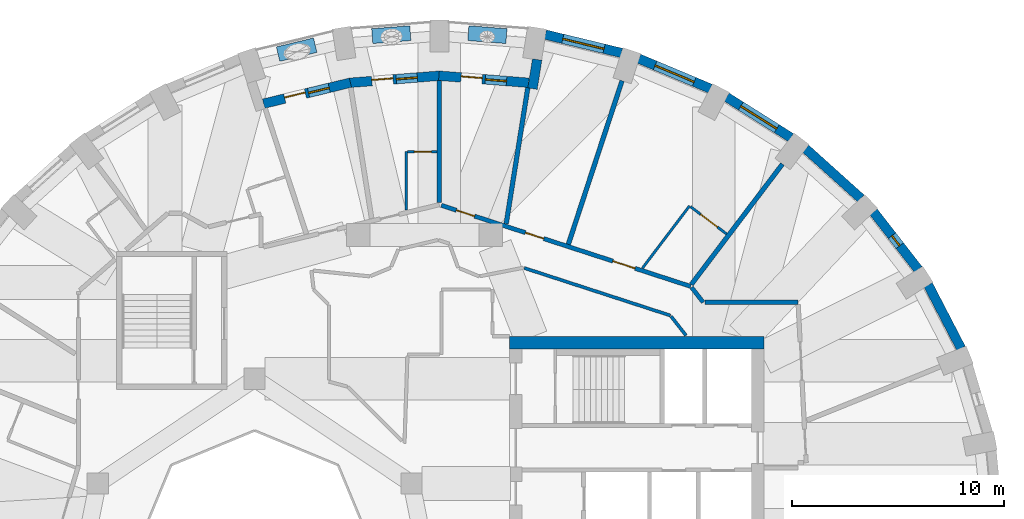
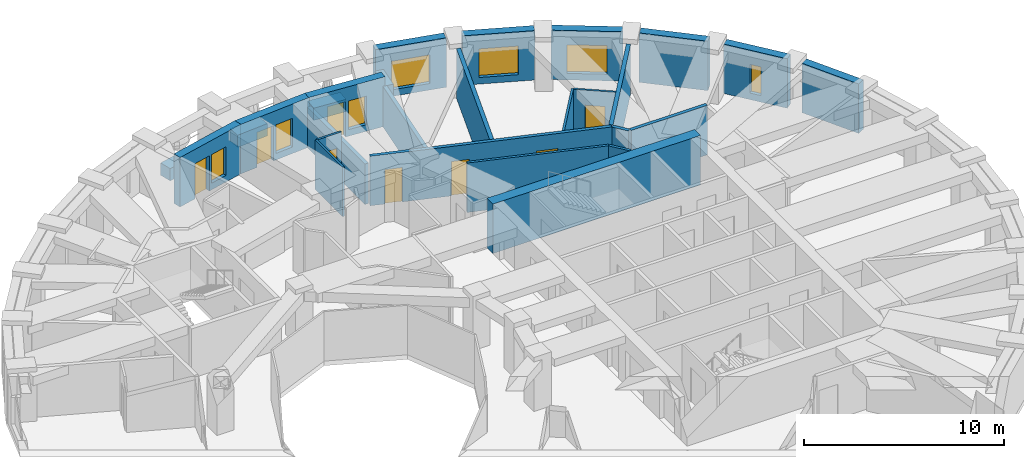
# One storey, part 8 of 12: 27 walls, 8 doors, 7 windows, 15 openings.
"""IFC4 building model written with IfcOpenShell, lengths in metres."""

import ifcopenshell
import ifcopenshell.guid

model = None  # the IFC model being written
_history = None  # IfcOwnerHistory: only IFC2X3 demands one
_inside = {}  # id of a spatial element -> (the spatial element, [elements in it])
_under = {}  # id of a project, library or spatial element -> (it, [spatial elements below it])
_declared = {}  # id of a project -> (the project, [libraries it declares])
_typed = {}  # id of a type object -> (the type object, [elements of that type])
_made_of = {}  # id of a material, layer set ... -> (it, [elements and type objects made of it])


def new_model(schema):
    """Start an empty IFC model of exactly this schema.

    Asked for "IFC4X3", IfcOpenShell would pick the latest addendum, in which some entities
    have other attributes; the version numbers below select the first issue.
    IFC2X3 requires an IfcOwnerHistory on every rooted entity: one is made here for all.
    """
    global model, _history
    if schema == "IFC4X3":
        model = ifcopenshell.file(schema_version=(4, 3, 0, 0))
    else:
        model = ifcopenshell.file(schema=schema)
    _inside.clear()
    _under.clear()
    _declared.clear()
    _typed.clear()
    _made_of.clear()
    _history = None
    if model.schema == "IFC2X3":
        org = make("IfcOrganization", Name="unknown")
        user = make(
            "IfcPersonAndOrganization",
            ThePerson=make("IfcPerson", FamilyName="unknown"),
            TheOrganization=org,
        )
        app = make(
            "IfcApplication",
            ApplicationDeveloper=org,
            Version="unknown",
            ApplicationFullName="unknown",
            ApplicationIdentifier="unknown",
        )
        _history = make(
            "IfcOwnerHistory",
            OwningUser=user,
            OwningApplication=app,
            ChangeAction="ADDED",
            CreationDate=0,
        )
    return model


def make(cls, **values):
    """One entity of the class cls with the attributes given. An attribute that is None is left unset."""
    return model.create_entity(
        cls, **{name: value for name, value in values.items() if value is not None}
    )


def rooted(cls, **values):
    """An entity with a GlobalId (a new one), such as an element, a storey or a relation."""
    return make(cls, GlobalId=ifcopenshell.guid.new(), OwnerHistory=_history, **values)


def si_unit(unit_type, name, prefix=None):
    """IfcSIUnit, for example si_unit("LENGTHUNIT", "METRE", prefix="MILLI")."""
    return make("IfcSIUnit", UnitType=unit_type, Prefix=prefix, Name=name)


def assignment(units):
    """IfcUnitAssignment: the units of a project."""
    return None if units is None else make("IfcUnitAssignment", Units=units)


def point(xyz):
    """IfcCartesianPoint."""
    return None if xyz is None else make("IfcCartesianPoint", Coordinates=xyz)


def direction(xyz):
    """IfcDirection."""
    return None if xyz is None else make("IfcDirection", DirectionRatios=xyz)


def frame(location, z_axis=None, x_axis=None):
    """IfcAxis2Placement3D, a coordinate frame: its origin and axes. An axis left out is left unset."""
    return make(
        "IfcAxis2Placement3D",
        Location=point(location),
        Axis=direction(z_axis),
        RefDirection=direction(x_axis),
    )


def frame_2d(location, x_axis=None):
    """IfcAxis2Placement2D, a coordinate frame in the plane: its origin and x axis."""
    return make(
        "IfcAxis2Placement2D", Location=point(location), RefDirection=direction(x_axis)
    )


def origin():
    """The frame at (0, 0, 0) with its axes left unset."""
    return frame((0.0, 0.0, 0.0))


def place(relative_to, where):
    """IfcLocalPlacement: puts the frame where relative to a parent placement (None: the world)."""
    return make(
        "IfcLocalPlacement", PlacementRelTo=relative_to, RelativePlacement=where
    )


def context(
    kind, dimensions, precision=None, world=None, true_north=None, identifier=None
):
    """IfcGeometricRepresentationContext, for example the 3D "Model" context."""
    return make(
        "IfcGeometricRepresentationContext",
        ContextIdentifier=identifier,
        ContextType=kind,
        CoordinateSpaceDimension=dimensions,
        Precision=precision,
        WorldCoordinateSystem=world,
        TrueNorth=true_north,
    )


def subcontext(parent, identifier, kind, view, scale=None):
    """IfcGeometricRepresentationSubContext, for example "Body" below "Model"."""
    return make(
        "IfcGeometricRepresentationSubContext",
        ContextIdentifier=identifier,
        ContextType=kind,
        ParentContext=parent,
        TargetScale=scale,
        TargetView=view,
    )


def project(units=None, contexts=None):
    """IfcProject with its units and contexts."""
    return rooted(
        "IfcProject",
        Name="project",
        RepresentationContexts=contexts,
        UnitsInContext=assignment(units),
    )


def spatial(cls, under=None, at=None, **own):
    """A site, building, storey or space (cls), placed at a placement, below another one or the project."""
    s = rooted(cls, ObjectPlacement=at, **own)
    if under is not None:
        _under.setdefault(under.id(), (under, []))[1].append(s)
    return s


def profile(cls, at=None, kind="AREA", **sizes):
    """A parametric profile (cls). Its sizes go by their IFC names, for example OverallWidth=200.0."""
    return make(cls, ProfileType=kind, Position=at, **sizes)


def rectangle(**sizes):
    """IfcRectangleProfileDef."""
    return profile("IfcRectangleProfileDef", **sizes)


def extrude(swept, where, along, depth):
    """IfcExtrudedAreaSolid: the profile swept, set in the frame where, extruded along a direction by depth."""
    return make(
        "IfcExtrudedAreaSolid",
        SweptArea=swept,
        Position=where,
        ExtrudedDirection=direction(along),
        Depth=depth,
    )


def shape(context_of_items, identifier, shape_type, items):
    """IfcShapeRepresentation: the items that make up one representation, for example the "Body"."""
    return make(
        "IfcShapeRepresentation",
        ContextOfItems=context_of_items,
        RepresentationIdentifier=identifier,
        RepresentationType=shape_type,
        Items=items,
    )


def material(Name=None, Category=None):
    """IfcMaterial."""
    return make("IfcMaterial", Name=Name, Category=Category)


def layer(
    of_material, thickness, ventilated=None, Name=None, Category=None, Priority=None
):
    """IfcMaterialLayer: one layer of a wall or slab, of a material (None: an air gap)."""
    return make(
        "IfcMaterialLayer",
        Material=of_material,
        LayerThickness=thickness,
        IsVentilated=ventilated,
        Name=Name,
        Category=Category,
        Priority=Priority,
    )


def layer_set(layers, Name=None):
    """IfcMaterialLayerSet."""
    return make("IfcMaterialLayerSet", MaterialLayers=layers, LayerSetName=Name)


def constituent(of_material, Name=None, Category=None, fraction=None):
    """IfcMaterialConstituent: one of the materials an element consists of."""
    return make(
        "IfcMaterialConstituent",
        Name=Name,
        Material=of_material,
        Fraction=fraction,
        Category=Category,
    )


def constituent_set(constituents=None, Name=None):
    """IfcMaterialConstituentSet."""
    return make(
        "IfcMaterialConstituentSet", Name=Name, MaterialConstituents=constituents
    )


def made_of(thing, what):
    """Note that an element or type object is made of a material, layer set ...; save() writes the relation."""
    if what is not None:
        _made_of.setdefault(what.id(), (what, []))[1].append(thing)
    return thing


def type_object(cls, material=None, **own):
    """A type object (cls), such as IfcWallType, which elements share."""
    return made_of(rooted(cls, **own), material)


def element(
    cls,
    number,
    at=None,
    inside=None,
    cuts=None,
    type_object=None,
    material=None,
    context=None,
    identifier="Body",
    shape_type=None,
    held_by="IfcProductDefinitionShape",
    body=None,
    shapes=None,
    **own,
):
    """One element of the class cls, such as IfcWall. Its Tag is "e" and its number.

    at: its placement. inside: the storey or other place that contains it. cuts: it is an
    opening in that element (IfcRelVoidsElement). A single representation is given by context,
    identifier, shape_type and body (its items); several are given by shapes. held_by: the class
    of the entity that holds the representations. save() writes the other relations.
    """
    e = rooted(cls, Tag="e%d" % number, ObjectPlacement=at, **own)
    if body is not None:
        shapes = [shape(context, identifier, shape_type, body)]
    if shapes is not None:
        e.Representation = make(held_by, Representations=shapes)
    if inside is not None:
        _inside.setdefault(inside.id(), (inside, []))[1].append(e)
    if cuts is not None:
        rooted(
            "IfcRelVoidsElement", RelatingBuildingElement=cuts, RelatedOpeningElement=e
        )
    if type_object is not None:
        _typed.setdefault(type_object.id(), (type_object, []))[1].append(e)
    return made_of(e, material)


def fill(opening, filler):
    """IfcRelFillsElement: the door or window that sits in an opening."""
    return rooted(
        "IfcRelFillsElement",
        RelatingOpeningElement=opening,
        RelatedBuildingElement=filler,
    )


def aggregate(whole, parts):
    """IfcRelAggregates: a whole, such as a stair, and the parts it consists of."""
    return rooted("IfcRelAggregates", RelatingObject=whole, RelatedObjects=parts)


def save(model, path):
    """Write the relations noted so far, then the file.

    IfcRelAggregates (storeys below a building ...), IfcRelContainedInSpatialStructure (elements
    in a storey), IfcRelDefinesByType, IfcRelAssociatesMaterial and IfcRelDeclares: one each for
    every whole, place, type object, material and project.
    """
    for whole, parts in _under.values():
        aggregate(whole, parts)
    for where, things in _inside.values():
        rooted(
            "IfcRelContainedInSpatialStructure",
            RelatedElements=things,
            RelatingStructure=where,
        )
    for kind, things in _typed.values():
        rooted("IfcRelDefinesByType", RelatedObjects=things, RelatingType=kind)
    for what, things in _made_of.values():
        rooted("IfcRelAssociatesMaterial", RelatedObjects=things, RelatingMaterial=what)
    for by, libraries in _declared.values():
        rooted("IfcRelDeclares", RelatingContext=by, RelatedDefinitions=libraries)
    model.write(path)


model = new_model("IFC4")

# Units and contexts
model_context = context("Model", 3, precision=1e-05, world=origin(), true_north=direction((0.0, 1.0)))
body_context = subcontext(model_context, "Body", "Model", "MODEL_VIEW")
ifc_project = project(units=[si_unit("LENGTHUNIT", "METRE"), si_unit("AREAUNIT", "SQUARE_METRE"), si_unit("VOLUMEUNIT", "CUBIC_METRE"), si_unit("PLANEANGLEUNIT", "RADIAN"), si_unit("MASSUNIT", "GRAM", prefix="KILO")], contexts=[model_context])

# Site, building, storey
site_placement = place(None, origin())
site = spatial("IfcSite", under=ifc_project, at=site_placement, CompositionType="ELEMENT")
building_placement = place(site_placement, origin())
building = spatial("IfcBuilding", under=site, at=building_placement, Name="Taillehof Tower", CompositionType="ELEMENT")
storey_placement = place(building_placement, frame((0.0, 0.0, 222.199951171875)))
storey = spatial("IfcBuildingStorey", under=building, at=storey_placement, Name="L63", CompositionType="ELEMENT", Elevation=222.199951171875)

# Wall
ifc_material_1 = material(Name="Brick masonry", Category="masonry")
ifc_layer_1 = layer(ifc_material_1, 0.449951171875)
ifc_layer_set_1 = layer_set([ifc_layer_1], Name="Brick infill wall 450")
wall_type_1 = type_object("IfcWallType", Name="Brick infill wall 450", PredefinedType="SOLIDWALL", material=ifc_layer_set_1)
wall_1_placement = place(storey_placement, frame((25.278076171875, 9.431640625, 0.0), z_axis=(0.0, 0.0, 1.0), x_axis=(-0.460175500475, 0.887827972505, 0.0)))
element("IfcWall", 1, at=wall_1_placement, inside=storey, type_object=wall_type_1, Name="Brick wall L63 bay 3", PredefinedType="SOLIDWALL", context=body_context, shape_type="SweptSolid", body=[
    extrude(rectangle(XDim=3.37060546875, YDim=0.449951171875, at=frame_2d((1.685302734375, 0.0))), origin(), (0.0, 0.0, 1.0), 3.02001953125),
])

# Wall, opening, window
wall_2_placement = place(storey_placement, frame((23.262939453125, 13.148193359375, 0.0), z_axis=(0.0, 0.0, 1.0), x_axis=(-0.614220816451, 0.789134201919, 0.0)))
wall_2 = element("IfcWall", 2, at=wall_2_placement, inside=storey, type_object=wall_type_1, Name="Brick wall L63 bay 4", PredefinedType="SOLIDWALL", context=body_context, shape_type="SweptSolid", body=[
    extrude(rectangle(XDim=3.437744140625, YDim=0.449951171875, at=frame_2d((1.71875, 0.0))), origin(), (0.0, 0.0, 1.0), 3.02001953125),
])
opening_1_placement = place(wall_2_placement, frame((1.4189453125, 0.0, 0.39990234375)))
opening_1 = element("IfcOpeningElement", 3, at=opening_1_placement, cuts=wall_2, Name="Opening W6", PredefinedType="OPENING", context=body_context, shape_type="SweptSolid", body=[
    extrude(rectangle(XDim=0.60009765625, YDim=1.75, at=frame_2d((0.300048828125, 0.875))), frame((0.0, 0.23486328125, 0.0), z_axis=(0.0, -1.0, 0.0), x_axis=(1.0, 0.0, 0.0)), (0.0, 0.0, 1.0), 0.469970703125),
])
ifc_material_2 = material(Name="Aluminium window frame with clear double glazing", Category="aluminium")
window_type_1 = type_object("IfcWindowType", Name="Slot window 600x1750", PartitioningType="SINGLE_PANEL", PredefinedType="WINDOW", material=ifc_material_2)
window_1_placement = place(opening_1_placement, origin())
window_1 = element("IfcWindow", 4, at=window_1_placement, inside=storey, type_object=window_type_1, Name="W6", OverallHeight=1.75, OverallWidth=0.60009765625, PartitioningType="SINGLE_PANEL", PredefinedType="WINDOW", context=body_context, shape_type="SweptSolid", body=[
    extrude(rectangle(XDim=0.60009765625, YDim=1.75, at=frame_2d((0.300048828125, 0.875))), frame((0.0, 0.034912109375, 0.0), z_axis=(0.0, -1.0, 0.0), x_axis=(1.0, 0.0, 0.0)), (0.0, 0.0, 1.0), 0.06005859375),
])
fill(opening_1, window_1)

# Wall
wall_3_placement = place(storey_placement, frame((20.56494140625, 16.490478515625, 0.0), z_axis=(0.0, 0.0, 1.0), x_axis=(-0.743442727602, 0.668799604348, 0.0)))
element("IfcWall", 5, at=wall_3_placement, inside=storey, type_object=wall_type_1, Name="Brick wall L63 bay 5", PredefinedType="SOLIDWALL", context=body_context, shape_type="SweptSolid", body=[
    extrude(rectangle(XDim=3.5126953125, YDim=0.449951171875, at=frame_2d((1.75634765625, 0.0))), origin(), (0.0, 0.0, 1.0), 3.02001953125),
])

# Wall, opening, window
wall_4_placement = place(storey_placement, frame((17.26708984375, 19.3583984375, 0.0), z_axis=(0.0, 0.0, 1.0), x_axis=(-0.846119146727, 0.532993798783, 0.0)))
wall_4 = element("IfcWall", 6, at=wall_4_placement, inside=storey, type_object=wall_type_1, Name="Brick wall L63 bay 6", PredefinedType="SOLIDWALL", context=body_context, shape_type="SweptSolid", body=[
    extrude(rectangle(XDim=3.586669921875, YDim=0.449951171875, at=frame_2d((1.79345703125, 0.0))), origin(), (0.0, 0.0, 1.0), 3.02001953125),
])
opening_2_placement = place(wall_4_placement, frame((0.79345703125, 0.0, 0.39990234375)))
opening_2 = element("IfcOpeningElement", 7, at=opening_2_placement, cuts=wall_4, Name="Opening W2", PredefinedType="OPENING", context=body_context, shape_type="SweptSolid", body=[
    extrude(rectangle(XDim=2.0, YDim=1.75, at=frame_2d((1.0, 0.875))), frame((0.0, 0.23486328125, 0.0), z_axis=(0.0, -1.0, 0.0), x_axis=(1.0, 0.0, 0.0)), (0.0, 0.0, 1.0), 0.469970703125),
])
ifc_material_3 = material(Name="Aluminium window frame with clear double glazing", Category="aluminium")
window_type_2 = type_object("IfcWindowType", Name="Deep-set window 2000x1750", PartitioningType="SINGLE_PANEL", PredefinedType="WINDOW", material=ifc_material_3)
window_2_placement = place(opening_2_placement, origin())
window_2 = element("IfcWindow", 8, at=window_2_placement, inside=storey, type_object=window_type_2, Name="W2", OverallHeight=1.75, OverallWidth=2.0, PartitioningType="SINGLE_PANEL", PredefinedType="WINDOW", context=body_context, shape_type="SweptSolid", body=[
    extrude(rectangle(XDim=2.0, YDim=1.75, at=frame_2d((1.0, 0.875))), frame((0.0, 0.034912109375, 0.0), z_axis=(0.0, -1.0, 0.0), x_axis=(1.0, 0.0, 0.0)), (0.0, 0.0, 1.0), 0.06005859375),
])
fill(opening_2, window_2)

wall_5_placement = place(storey_placement, frame((13.46923828125, 21.6669921875, 0.0), z_axis=(0.0, 0.0, 1.0), x_axis=(-0.922168222612, 0.386789050006, 0.0)))
wall_5 = element("IfcWall", 9, at=wall_5_placement, inside=storey, type_object=wall_type_1, Name="Brick wall L63 bay 7", PredefinedType="SOLIDWALL", context=body_context, shape_type="SweptSolid", body=[
    extrude(rectangle(XDim=3.65087890625, YDim=0.449951171875, at=frame_2d((1.825439453125, 0.0))), origin(), (0.0, 0.0, 1.0), 3.02001953125),
])
opening_3_placement = place(wall_5_placement, frame((0.825439453125, 0.0, 0.39990234375)))
opening_3 = element("IfcOpeningElement", 10, at=opening_3_placement, cuts=wall_5, Name="Opening W2", PredefinedType="OPENING", context=body_context, shape_type="SweptSolid", body=[
    extrude(rectangle(XDim=2.0, YDim=1.75, at=frame_2d((1.0, 0.875))), frame((0.0, 0.23486328125, 0.0), z_axis=(0.0, -1.0, 0.0), x_axis=(1.0, 0.0, 0.0)), (0.0, 0.0, 1.0), 0.469970703125),
])
window_3_placement = place(opening_3_placement, origin())
window_3 = element("IfcWindow", 11, at=window_3_placement, inside=storey, type_object=window_type_2, Name="W2", OverallHeight=1.75, OverallWidth=2.0, PartitioningType="SINGLE_PANEL", PredefinedType="WINDOW", context=body_context, shape_type="SweptSolid", body=[
    extrude(rectangle(XDim=2.0, YDim=1.75, at=frame_2d((1.0, 0.875))), frame((0.0, 0.034912109375, 0.0), z_axis=(0.0, -1.0, 0.0), x_axis=(1.0, 0.0, 0.0)), (0.0, 0.0, 1.0), 0.06005859375),
])
fill(opening_3, window_3)

wall_6_placement = place(storey_placement, frame((9.285400390625, 23.34716796875, 0.0), z_axis=(0.0, 0.0, 1.0), x_axis=(-0.972173533246, 0.234261864708, 0.0)))
wall_6 = element("IfcWall", 12, at=wall_6_placement, inside=storey, type_object=wall_type_1, Name="Brick wall L63 bay 8", PredefinedType="SOLIDWALL", context=body_context, shape_type="SweptSolid", body=[
    extrude(rectangle(XDim=3.697509765625, YDim=0.449951171875, at=frame_2d((1.8486328125, 0.0))), origin(), (0.0, 0.0, 1.0), 3.02001953125),
])
opening_4_placement = place(wall_6_placement, frame((0.848876953125, 0.0, 0.39990234375)))
opening_4 = element("IfcOpeningElement", 13, at=opening_4_placement, cuts=wall_6, Name="Opening W2", PredefinedType="OPENING", context=body_context, shape_type="SweptSolid", body=[
    extrude(rectangle(XDim=2.0, YDim=1.75, at=frame_2d((1.0, 0.875))), frame((0.0, 0.23486328125, 0.0), z_axis=(0.0, -1.0, 0.0), x_axis=(1.0, 0.0, 0.0)), (0.0, 0.0, 1.0), 0.469970703125),
])
window_4_placement = place(opening_4_placement, origin())
window_4 = element("IfcWindow", 14, at=window_4_placement, inside=storey, type_object=window_type_2, Name="W2", OverallHeight=1.75, OverallWidth=2.0, PartitioningType="SINGLE_PANEL", PredefinedType="WINDOW", context=body_context, shape_type="SweptSolid", body=[
    extrude(rectangle(XDim=2.0, YDim=1.75, at=frame_2d((1.0, 0.875))), frame((0.0, 0.034912109375, 0.0), z_axis=(0.0, -1.0, 0.0), x_axis=(1.0, 0.0, 0.0)), (0.0, 0.0, 1.0), 0.06005859375),
])
fill(opening_4, window_4)

# Wall
wall_7_placement = place(storey_placement, frame((5.308837890625, 23.03857421875, 0.0), z_axis=(0.0, 0.0, 1.0), x_axis=(-0.157189016474, -0.9875685359, 0.0)))
element("IfcWall", 15, at=wall_7_placement, inside=storey, type_object=wall_type_1, Name="Brick reveal L63 pocket 2", PredefinedType="SOLIDWALL", context=body_context, shape_type="SweptSolid", body=[
    extrude(rectangle(XDim=1.39013671875, YDim=0.449951171875, at=frame_2d((0.695068359375, 0.0))), origin(), (0.0, 0.0, 1.0), 2.469970703125),
])

# Wall, openings, door, window
wall_8_placement = place(storey_placement, frame((4.906494140625, 21.9423828125, 0.0), z_axis=(0.0, 0.0, 1.0), x_axis=(-0.996902429846, 0.078648238166, 0.0)))
wall_8 = element("IfcWall", 16, at=wall_8_placement, inside=storey, type_object=wall_type_1, Name="Brick wall L63 pocket bay 9", PredefinedType="SOLIDWALL", context=body_context, shape_type="SweptSolid", body=[
    extrude(rectangle(XDim=4.2373046875, YDim=0.449951171875, at=frame_2d((2.11865234375, 0.0))), origin(), (0.0, 0.0, 1.0), 3.02001953125),
])
opening_5_placement = place(wall_8_placement, frame((1.043701171875, 0.0, 0.39990234375)))
opening_5 = element("IfcOpeningElement", 17, at=opening_5_placement, cuts=wall_8, Name="Opening W5", PredefinedType="OPENING", context=body_context, shape_type="SweptSolid", body=[
    extrude(rectangle(XDim=1.0, YDim=1.75, at=frame_2d((0.5, 0.875))), frame((0.0, 0.23486328125, 0.0), z_axis=(0.0, -1.0, 0.0), x_axis=(1.0, 0.0, 0.0)), (0.0, 0.0, 1.0), 0.469970703125),
])
opening_6_placement = place(wall_8_placement, frame((2.193603515625, 0.0, 0.0)))
opening_6 = element("IfcOpeningElement", 18, at=opening_6_placement, cuts=wall_8, Name="Opening D6391", PredefinedType="OPENING", context=body_context, shape_type="SweptSolid", body=[
    extrude(rectangle(XDim=1.0, YDim=2.14990234375, at=frame_2d((0.5, 1.074951171875))), frame((0.0, 0.23486328125, 0.0), z_axis=(0.0, -1.0, 0.0), x_axis=(1.0, 0.0, 0.0)), (0.0, 0.0, 1.0), 0.469970703125),
])
ifc_material_4 = material(Name="Aluminium door frame with clear double glazing", Category="aluminium")
door_type_1 = type_object("IfcDoorType", Name="Balcony door 1000x2150", OperationType="SINGLE_SWING_RIGHT", PredefinedType="DOOR", material=ifc_material_4)
door_1_placement = place(opening_6_placement, frame((1.0, 0.0, 0.0), z_axis=(0.0, 0.0, 1.0), x_axis=(-1.0, 0.0, 0.0)))
door_1 = element("IfcDoor", 19, at=door_1_placement, inside=storey, type_object=door_type_1, Name="Balcony door L63 bay 9", OperationType="SINGLE_SWING_RIGHT", OverallHeight=2.14990234375, OverallWidth=1.0, PredefinedType="DOOR", context=body_context, shape_type="SweptSolid", body=[
    extrude(rectangle(XDim=1.0, YDim=2.14990234375, at=frame_2d((0.5, 1.074951171875))), frame((0.0, 0.0751953125, 0.0), z_axis=(0.0, -1.0, 0.0), x_axis=(1.0, 0.0, 0.0)), (0.0, 0.0, 1.0), 0.050048828125),
])
fill(opening_6, door_1)
ifc_material_5 = material(Name="Aluminium window frame with clear double glazing", Category="aluminium")
window_type_3 = type_object("IfcWindowType", Name="Fixed window 1000x1750", PartitioningType="SINGLE_PANEL", PredefinedType="WINDOW", material=ifc_material_5)
window_5_placement = place(opening_5_placement, origin())
window_5 = element("IfcWindow", 20, at=window_5_placement, inside=storey, type_object=window_type_3, Name="W5", OverallHeight=1.75, OverallWidth=1.0, PartitioningType="SINGLE_PANEL", PredefinedType="WINDOW", context=body_context, shape_type="SweptSolid", body=[
    extrude(rectangle(XDim=1.0, YDim=1.75, at=frame_2d((0.5, 0.875))), frame((0.0, 0.034912109375, 0.0), z_axis=(0.0, -1.0, 0.0), x_axis=(1.0, 0.0, 0.0)), (0.0, 0.0, 1.0), 0.06005859375),
])
fill(opening_5, window_5)

wall_9_placement = place(storey_placement, frame((0.7177734375, 22.275634765625, 0.0), z_axis=(0.0, 0.0, 1.0), x_axis=(-0.996901346333, -0.078661970983, 0.0)))
wall_9 = element("IfcWall", 21, at=wall_9_placement, inside=storey, type_object=wall_type_1, Name="Brick wall L63 pocket bay 10", PredefinedType="SOLIDWALL", context=body_context, shape_type="SweptSolid", body=[
    extrude(rectangle(XDim=4.255126953125, YDim=0.449951171875, at=frame_2d((2.12744140625, 0.0))), origin(), (0.0, 0.0, 1.0), 3.02001953125),
])
opening_7_placement = place(wall_9_placement, frame((1.052490234375, 0.0, 0.39990234375)))
opening_7 = element("IfcOpeningElement", 22, at=opening_7_placement, cuts=wall_9, Name="Opening W5", PredefinedType="OPENING", context=body_context, shape_type="SweptSolid", body=[
    extrude(rectangle(XDim=1.0, YDim=1.75, at=frame_2d((0.5, 0.875))), frame((0.0, 0.23486328125, 0.0), z_axis=(0.0, -1.0, 0.0), x_axis=(1.0, 0.0, 0.0)), (0.0, 0.0, 1.0), 0.469970703125),
])
opening_8_placement = place(wall_9_placement, frame((2.20263671875, 0.0, 0.0)))
opening_8 = element("IfcOpeningElement", 23, at=opening_8_placement, cuts=wall_9, Name="Opening D6392", PredefinedType="OPENING", context=body_context, shape_type="SweptSolid", body=[
    extrude(rectangle(XDim=1.0, YDim=2.14990234375, at=frame_2d((0.5, 1.074951171875))), frame((0.0, 0.23486328125, 0.0), z_axis=(0.0, -1.0, 0.0), x_axis=(1.0, 0.0, 0.0)), (0.0, 0.0, 1.0), 0.469970703125),
])
door_2_placement = place(opening_8_placement, frame((1.0, 0.0, 0.0), z_axis=(0.0, 0.0, 1.0), x_axis=(-1.0, 0.0, 0.0)))
door_2 = element("IfcDoor", 24, at=door_2_placement, inside=storey, type_object=door_type_1, Name="Balcony door L63 bay 10", OperationType="SINGLE_SWING_LEFT", OverallHeight=2.14990234375, OverallWidth=1.0, PredefinedType="DOOR", context=body_context, shape_type="SweptSolid", body=[
    extrude(rectangle(XDim=1.0, YDim=2.14990234375, at=frame_2d((0.5, 1.074951171875))), frame((0.0, 0.0751953125, 0.0), z_axis=(0.0, -1.0, 0.0), x_axis=(1.0, 0.0, 0.0)), (0.0, 0.0, 1.0), 0.050048828125),
])
fill(opening_8, door_2)
window_6_placement = place(opening_7_placement, origin())
window_6 = element("IfcWindow", 25, at=window_6_placement, inside=storey, type_object=window_type_3, Name="W5", OverallHeight=1.75, OverallWidth=1.0, PartitioningType="SINGLE_PANEL", PredefinedType="WINDOW", context=body_context, shape_type="SweptSolid", body=[
    extrude(rectangle(XDim=1.0, YDim=1.75, at=frame_2d((0.5, 0.875))), frame((0.0, 0.034912109375, 0.0), z_axis=(0.0, -1.0, 0.0), x_axis=(1.0, 0.0, 0.0)), (0.0, 0.0, 1.0), 0.06005859375),
])
fill(opening_7, window_6)

wall_10_placement = place(storey_placement, frame((-3.489013671875, 21.946533203125, 0.0), z_axis=(0.0, 0.0, 1.0), x_axis=(-0.972007311035, -0.234950606076, 0.0)))
wall_10 = element("IfcWall", 26, at=wall_10_placement, inside=storey, type_object=wall_type_1, Name="Brick wall L63 pocket bay 11", PredefinedType="SOLIDWALL", context=body_context, shape_type="SweptSolid", body=[
    extrude(rectangle(XDim=4.207275390625, YDim=0.449951171875, at=frame_2d((2.103515625, 0.0))), origin(), (0.0, 0.0, 1.0), 3.02001953125),
])
opening_9_placement = place(wall_10_placement, frame((1.028564453125, 0.0, 0.39990234375)))
opening_9 = element("IfcOpeningElement", 27, at=opening_9_placement, cuts=wall_10, Name="Opening W5", PredefinedType="OPENING", context=body_context, shape_type="SweptSolid", body=[
    extrude(rectangle(XDim=1.0, YDim=1.75, at=frame_2d((0.5, 0.875))), frame((0.0, 0.23486328125, 0.0), z_axis=(0.0, -1.0, 0.0), x_axis=(1.0, 0.0, 0.0)), (0.0, 0.0, 1.0), 0.469970703125),
])
opening_10_placement = place(wall_10_placement, frame((2.1787109375, 0.0, 0.0)))
opening_10 = element("IfcOpeningElement", 28, at=opening_10_placement, cuts=wall_10, Name="Opening D6393", PredefinedType="OPENING", context=body_context, shape_type="SweptSolid", body=[
    extrude(rectangle(XDim=1.0, YDim=2.14990234375, at=frame_2d((0.5, 1.074951171875))), frame((0.0, 0.23486328125, 0.0), z_axis=(0.0, -1.0, 0.0), x_axis=(1.0, 0.0, 0.0)), (0.0, 0.0, 1.0), 0.469970703125),
])
door_3_placement = place(opening_10_placement, frame((1.0, 0.0, 0.0), z_axis=(0.0, 0.0, 1.0), x_axis=(-1.0, 0.0, 0.0)))
door_3 = element("IfcDoor", 29, at=door_3_placement, inside=storey, type_object=door_type_1, Name="Balcony door L63 bay 11", OperationType="SINGLE_SWING_LEFT", OverallHeight=2.14990234375, OverallWidth=1.0, PredefinedType="DOOR", context=body_context, shape_type="SweptSolid", body=[
    extrude(rectangle(XDim=1.0, YDim=2.14990234375, at=frame_2d((0.5, 1.074951171875))), frame((0.0, 0.0751953125, 0.0), z_axis=(0.0, -1.0, 0.0), x_axis=(1.0, 0.0, 0.0)), (0.0, 0.0, 1.0), 0.050048828125),
])
fill(opening_10, door_3)
window_7_placement = place(opening_9_placement, origin())
window_7 = element("IfcWindow", 30, at=window_7_placement, inside=storey, type_object=window_type_3, Name="W5", OverallHeight=1.75, OverallWidth=1.0, PartitioningType="SINGLE_PANEL", PredefinedType="WINDOW", context=body_context, shape_type="SweptSolid", body=[
    extrude(rectangle(XDim=1.0, YDim=1.75, at=frame_2d((0.5, 0.875))), frame((0.0, 0.034912109375, 0.0), z_axis=(0.0, -1.0, 0.0), x_axis=(1.0, 0.0, 0.0)), (0.0, 0.0, 1.0), 0.06005859375),
])
fill(opening_9, window_7)

# Wall, openings, doors
ifc_material_6 = material(Name="Gypsum board on steel studs, two layers each side", Category="steel")
ifc_layer_2 = layer(ifc_material_6, 0.199951171875)
ifc_layer_set_2 = layer_set([ifc_layer_2], Name="Compartment wall corridor 200")
wall_type_2 = type_object("IfcWallType", Name="Compartment wall corridor 200", PredefinedType="PARTITIONING", material=ifc_layer_set_2)
wall_11_placement = place(storey_placement, frame((0.795166015625, 16.16943359375, 0.0), z_axis=(0.0, 0.0, 1.0), x_axis=(0.950998491074, -0.309195520626, 0.0)))
wall_11 = element("IfcWall", 31, at=wall_11_placement, inside=storey, type_object=wall_type_2, Name="Compartment wall", PredefinedType="PARTITIONING", context=body_context, shape_type="SweptSolid", body=[
    extrude(rectangle(XDim=12.357177734375, YDim=0.199951171875, at=frame_2d((6.1787109375, 0.0))), origin(), (0.0, 0.0, 1.0), 3.02001953125),
])
opening_11_placement = place(wall_11_placement, frame((8.49560546875, 0.0, 0.0)))
opening_11 = element("IfcOpeningElement", 32, at=opening_11_placement, cuts=wall_11, Name="Opening D6340", PredefinedType="OPENING", context=body_context, shape_type="SweptSolid", body=[
    extrude(rectangle(XDim=1.10009765625, YDim=2.10009765625, at=frame_2d((0.550048828125, 1.050048828125))), frame((0.0, 0.10986328125, 0.0), z_axis=(0.0, -1.0, 0.0), x_axis=(1.0, 0.0, 0.0)), (0.0, 0.0, 1.0), 0.219970703125),
])
opening_12_placement = place(wall_11_placement, frame((4.1689453125, 0.0, 0.0)))
opening_12 = element("IfcOpeningElement", 33, at=opening_12_placement, cuts=wall_11, Name="Opening D6342", PredefinedType="OPENING", context=body_context, shape_type="SweptSolid", body=[
    extrude(rectangle(XDim=0.89990234375, YDim=2.10009765625, at=frame_2d((0.449951171875, 1.050048828125))), frame((0.0, 0.10986328125, 0.0), z_axis=(0.0, -1.0, 0.0), x_axis=(1.0, 0.0, 0.0)), (0.0, 0.0, 1.0), 0.219970703125),
])
opening_13_placement = place(wall_11_placement, frame((0.746826171875, 0.0, 0.0)))
opening_13 = element("IfcOpeningElement", 34, at=opening_13_placement, cuts=wall_11, Name="Opening D6343", PredefinedType="OPENING", context=body_context, shape_type="SweptSolid", body=[
    extrude(rectangle(XDim=0.89990234375, YDim=2.10009765625, at=frame_2d((0.449951171875, 1.050048828125))), frame((0.0, 0.10986328125, 0.0), z_axis=(0.0, -1.0, 0.0), x_axis=(1.0, 0.0, 0.0)), (0.0, 0.0, 1.0), 0.219970703125),
])
ifc_material_7 = material(Name="Timber door leaf in steel frame", Category="steel")
door_type_2 = type_object("IfcDoorType", Name="Accessible guest room door EI 30 1100 x 2100", OperationType="SINGLE_SWING_LEFT", PredefinedType="DOOR", material=ifc_material_7)
door_4_placement = place(opening_11_placement, origin())
door_4 = element("IfcDoor", 35, at=door_4_placement, inside=storey, type_object=door_type_2, Name="D6340", OperationType="SINGLE_SWING_RIGHT", OverallHeight=2.10009765625, OverallWidth=1.10009765625, PredefinedType="DOOR", context=body_context, shape_type="SweptSolid", body=[
    extrude(rectangle(XDim=1.10009765625, YDim=2.10009765625, at=frame_2d((0.550048828125, 1.050048828125))), frame((0.0, 0.02490234375, 0.0), z_axis=(0.0, -1.0, 0.0), x_axis=(1.0, 0.0, 0.0)), (0.0, 0.0, 1.0), 0.050048828125),
])
fill(opening_11, door_4)
ifc_material_8 = material(Name="Timber door leaf in steel frame", Category="steel")
door_type_3 = type_object("IfcDoorType", Name="Service room door EI 30 900 x 2100", OperationType="SINGLE_SWING_LEFT", PredefinedType="DOOR", material=ifc_material_8)
door_5_placement = place(opening_12_placement, origin())
door_5 = element("IfcDoor", 36, at=door_5_placement, inside=storey, type_object=door_type_3, Name="D6342", OperationType="SINGLE_SWING_LEFT", OverallHeight=2.10009765625, OverallWidth=0.89990234375, PredefinedType="DOOR", context=body_context, shape_type="SweptSolid", body=[
    extrude(rectangle(XDim=0.89990234375, YDim=2.10009765625, at=frame_2d((0.449951171875, 1.050048828125))), frame((0.0, 0.02490234375, 0.0), z_axis=(0.0, -1.0, 0.0), x_axis=(1.0, 0.0, 0.0)), (0.0, 0.0, 1.0), 0.050048828125),
])
fill(opening_12, door_5)
door_6_placement = place(opening_13_placement, origin())
door_6 = element("IfcDoor", 37, at=door_6_placement, inside=storey, type_object=door_type_3, Name="D6343", OperationType="SINGLE_SWING_LEFT", OverallHeight=2.10009765625, OverallWidth=0.89990234375, PredefinedType="DOOR", context=body_context, shape_type="SweptSolid", body=[
    extrude(rectangle(XDim=0.89990234375, YDim=2.10009765625, at=frame_2d((0.449951171875, 1.050048828125))), frame((0.0, 0.02490234375, 0.0), z_axis=(0.0, -1.0, 0.0), x_axis=(1.0, 0.0, 0.0)), (0.0, 0.0, 1.0), 0.050048828125),
])
fill(opening_13, door_6)

# Walls
wall_12_placement = place(storey_placement, frame((12.58349609375, 12.301025390625, 0.0), z_axis=(0.0, 0.0, 1.0), x_axis=(0.616670471626, -0.787221397972, 0.0)))
element("IfcWall", 38, at=wall_12_placement, inside=storey, type_object=wall_type_2, Name="Compartment wall", PredefinedType="PARTITIONING", context=body_context, shape_type="SweptSolid", body=[
    extrude(rectangle(XDim=0.890380859375, YDim=0.199951171875, at=frame_2d((0.4453125, 0.0))), origin(), (0.0, 0.0, 1.0), 3.02001953125),
])
wall_13_placement = place(storey_placement, frame((13.212646484375, 11.60009765625, 0.0), z_axis=(0.0, 0.0, 1.0), x_axis=(1.0, 0.0, 0.0)))
element("IfcWall", 39, at=wall_13_placement, inside=storey, type_object=wall_type_2, Name="Compartment wall", PredefinedType="PARTITIONING", context=body_context, shape_type="SweptSolid", body=[
    extrude(rectangle(XDim=4.387451171875, YDim=0.199951171875, at=frame_2d((2.19384765625, 0.0))), origin(), (0.0, 0.0, 1.0), 3.02001953125),
])
ifc_material_9 = material(Name="Gypsum board on double steel studs with mineral wool", Category="steel")
ifc_layer_3 = layer(ifc_material_9, 0.219970703125)
ifc_layer_set_3 = layer_set([ifc_layer_3], Name="Compartment wall guest room 220")
wall_type_3 = type_object("IfcWallType", Name="Compartment wall guest room 220", PredefinedType="PARTITIONING", material=ifc_layer_set_3)
wall_14_placement = place(storey_placement, frame((16.86328125, 18.112548828125, 0.0), z_axis=(0.0, 0.0, 1.0), x_axis=(-0.603604387564, -0.79728397909, 0.0)))
element("IfcWall", 40, at=wall_14_placement, inside=storey, type_object=wall_type_3, Name="Compartment wall", PredefinedType="PARTITIONING", context=body_context, shape_type="SweptSolid", body=[
    extrude(rectangle(XDim=7.108154296875, YDim=0.219970703125, at=frame_2d((3.55419921875, 0.0))), origin(), (0.0, 0.0, 1.0), 3.02001953125),
])
wall_15_placement = place(storey_placement, frame((9.30712890625, 22.035400390625, 0.0), z_axis=(0.0, 0.0, 1.0), x_axis=(-0.311971255232, -0.950091540805, 0.0)))
element("IfcWall", 41, at=wall_15_placement, inside=storey, type_object=wall_type_3, Name="Compartment wall", PredefinedType="PARTITIONING", context=body_context, shape_type="SweptSolid", body=[
    extrude(rectangle(XDim=8.110595703125, YDim=0.219970703125, at=frame_2d((4.05517578125, 0.0))), origin(), (0.0, 0.0, 1.0), 3.02001953125),
])
wall_16_placement = place(storey_placement, frame((4.87109375, 21.719482421875, 0.0), z_axis=(0.0, 0.0, 1.0), x_axis=(-0.157114215968, -0.98758043882, 0.0)))
element("IfcWall", 42, at=wall_16_placement, inside=storey, type_object=wall_type_3, Name="Compartment wall", PredefinedType="PARTITIONING", context=body_context, shape_type="SweptSolid", body=[
    extrude(rectangle(XDim=6.49853515625, YDim=0.219970703125, at=frame_2d((3.249267578125, 0.0))), origin(), (0.0, 0.0, 1.0), 2.469970703125),
])
wall_17_placement = place(storey_placement, frame((0.699951171875, 22.048583984375, 0.0), z_axis=(0.0, 0.0, 1.0), x_axis=(0.0, -1.0, 0.0)))
element("IfcWall", 43, at=wall_17_placement, inside=storey, type_object=wall_type_3, Name="Compartment wall", PredefinedType="PARTITIONING", context=body_context, shape_type="SweptSolid", body=[
    extrude(rectangle(XDim=5.74853515625, YDim=0.219970703125, at=frame_2d((2.874267578125, 0.0))), origin(), (0.0, 0.0, 1.0), 2.469970703125),
])
ifc_material_10 = material(Name="Gypsum board on steel studs, two layers each side", Category="steel")
ifc_layer_4 = layer(ifc_material_10, 0.14990234375)
ifc_layer_set_4 = layer_set([ifc_layer_4], Name="Compartment wall service room 150")
wall_type_4 = type_object("IfcWallType", Name="Compartment wall service room 150", PredefinedType="PARTITIONING", material=ifc_layer_set_4)
wall_18_placement = place(storey_placement, frame((4.69873046875, 13.2177734375, 0.0), z_axis=(0.0, 0.0, 1.0), x_axis=(0.95099963578, -0.30919199981, 0.0)))
element("IfcWall", 44, at=wall_18_placement, inside=storey, type_object=wall_type_4, Name="Compartment wall", PredefinedType="PARTITIONING", context=body_context, shape_type="SweptSolid", body=[
    extrude(rectangle(XDim=7.243896484375, YDim=0.14990234375, at=frame_2d((3.6220703125, 0.0))), origin(), (0.0, 0.0, 1.0), 3.02001953125),
])
wall_19_placement = place(storey_placement, frame((11.612060546875, 10.9462890625, 0.0), z_axis=(0.0, 0.0, 1.0), x_axis=(0.616228210046, -0.787567643535, 0.0)))
element("IfcWall", 45, at=wall_19_placement, inside=storey, type_object=wall_type_4, Name="Compartment wall", PredefinedType="PARTITIONING", context=body_context, shape_type="SweptSolid", body=[
    extrude(rectangle(XDim=1.1513671875, YDim=0.14990234375, at=frame_2d((0.57568359375, 0.0))), origin(), (0.0, 0.0, 1.0), 3.02001953125),
])
ifc_material_11 = material(Name="Concrete C80/95", Category="concrete")
ifc_layer_5 = layer(ifc_material_11, 0.60009765625)
ifc_layer_set_5 = layer_set([ifc_layer_5], Name="Core wall C80/95 600")
wall_type_5 = type_object("IfcWallType", Name="Core wall C80/95 600", PredefinedType="SHEAR", material=ifc_layer_set_5)
wall_20_placement = place(storey_placement, frame((4.0, 9.699951171875, 0.0), z_axis=(0.0, 0.0, 1.0), x_axis=(1.0, 0.0, 0.0)))
element("IfcWall", 46, at=wall_20_placement, inside=storey, type_object=wall_type_5, Name="Core wall CW06", PredefinedType="SHEAR", context=body_context, shape_type="SweptSolid", body=[
    extrude(rectangle(XDim=12.0, YDim=0.60009765625, at=frame_2d((6.0, 0.0))), origin(), (0.0, 0.0, 1.0), 3.02001953125),
])
ifc_material_12 = material(Name="Gypsum board on steel studs, moisture resistant", Category="steel")
ifc_layer_6 = layer(ifc_material_12, 0.1201171875)
ifc_layer_set_6 = layer_set([ifc_layer_6], Name="En-suite wall 120")
wall_type_6 = type_object("IfcWallType", Name="En-suite wall 120", PredefinedType="PARTITIONING", material=ifc_layer_set_6)
wall_21_placement = place(storey_placement, frame((10.269775390625, 13.2138671875, 0.0), z_axis=(0.0, 0.0, 1.0), x_axis=(0.603632344714, 0.797262812638, 0.0)))
element("IfcWall", 47, at=wall_21_placement, inside=storey, type_object=wall_type_6, Name="En-suite wall", PredefinedType="PARTITIONING", context=body_context, shape_type="SweptSolid", body=[
    extrude(rectangle(XDim=3.671630859375, YDim=0.1201171875, at=frame_2d((1.8359375, 0.0))), origin(), (0.0, 0.0, 1.0), 3.02001953125),
])
wall_22_placement = place(storey_placement, frame((-0.85009765625, 15.9501953125, 0.0), z_axis=(0.0, 0.0, 1.0), x_axis=(0.0, 1.0, 0.0)))
element("IfcWall", 48, at=wall_22_placement, inside=storey, type_object=wall_type_6, Name="En-suite wall", PredefinedType="PARTITIONING", context=body_context, shape_type="SweptSolid", body=[
    extrude(rectangle(XDim=2.749755859375, YDim=0.1201171875, at=frame_2d((1.375, 0.0))), origin(), (0.0, 0.0, 1.0), 3.02001953125),
])

# Wall, opening, door
wall_23_placement = place(storey_placement, frame((12.53369140625, 16.105224609375, 0.0), z_axis=(0.0, 0.0, 1.0), x_axis=(0.797282665226, -0.603606123005, 0.0)))
wall_23 = element("IfcWall", 49, at=wall_23_placement, inside=storey, type_object=wall_type_6, Name="En-suite wall", PredefinedType="PARTITIONING", context=body_context, shape_type="SweptSolid", body=[
    extrude(rectangle(XDim=2.13037109375, YDim=0.1201171875, at=frame_2d((1.065185546875, 0.0))), origin(), (0.0, 0.0, 1.0), 3.02001953125),
])
opening_14_placement = place(wall_23_placement, frame((0.59033203125, 0.0, 0.0)))
opening_14 = element("IfcOpeningElement", 50, at=opening_14_placement, cuts=wall_23, Name="Opening D6341", PredefinedType="OPENING", context=body_context, shape_type="SweptSolid", body=[
    extrude(rectangle(XDim=1.0, YDim=2.10009765625, at=frame_2d((0.5, 1.050048828125))), frame((0.0, 0.070068359375, 0.0), z_axis=(0.0, -1.0, 0.0), x_axis=(1.0, 0.0, 0.0)), (0.0, 0.0, 1.0), 0.14013671875),
])
ifc_material_13 = material(Name="Timber door leaf in steel frame", Category="steel")
door_type_4 = type_object("IfcDoorType", Name="Accessible en-suite door 1000 x 2100", OperationType="SINGLE_SWING_LEFT", PredefinedType="DOOR", material=ifc_material_13)
door_7_placement = place(opening_14_placement, origin())
door_7 = element("IfcDoor", 51, at=door_7_placement, inside=storey, type_object=door_type_4, Name="D6341", OperationType="SINGLE_SWING_RIGHT", OverallHeight=2.10009765625, OverallWidth=1.0, PredefinedType="DOOR", context=body_context, shape_type="SweptSolid", body=[
    extrude(rectangle(XDim=1.0, YDim=2.10009765625, at=frame_2d((0.5, 1.050048828125))), frame((0.0, 0.02490234375, 0.0), z_axis=(0.0, -1.0, 0.0), x_axis=(1.0, 0.0, 0.0)), (0.0, 0.0, 1.0), 0.050048828125),
])
fill(opening_14, door_7)

wall_24_placement = place(storey_placement, frame((-0.7900390625, 18.699951171875, 0.0), z_axis=(0.0, 0.0, 1.0), x_axis=(1.0, 0.0, 0.0)))
wall_24 = element("IfcWall", 52, at=wall_24_placement, inside=storey, type_object=wall_type_6, Name="En-suite wall", PredefinedType="PARTITIONING", context=body_context, shape_type="SweptSolid", body=[
    extrude(rectangle(XDim=1.3798828125, YDim=0.1201171875, at=frame_2d((0.68994140625, 0.0))), origin(), (0.0, 0.0, 1.0), 3.02001953125),
])
opening_15_placement = place(wall_24_placement, frame((0.31494140625, 0.0, 0.0)))
opening_15 = element("IfcOpeningElement", 53, at=opening_15_placement, cuts=wall_24, Name="Opening D6345", PredefinedType="OPENING", context=body_context, shape_type="SweptSolid", body=[
    extrude(rectangle(XDim=0.800048828125, YDim=2.10009765625, at=frame_2d((0.39990234375, 1.050048828125))), frame((0.0, 0.070068359375, 0.0), z_axis=(0.0, -1.0, 0.0), x_axis=(1.0, 0.0, 0.0)), (0.0, 0.0, 1.0), 0.14013671875),
])
ifc_material_14 = material(Name="Timber door leaf in steel frame", Category="steel")
door_type_5 = type_object("IfcDoorType", Name="En-suite door 800 x 2100", OperationType="SINGLE_SWING_LEFT", PredefinedType="DOOR", material=ifc_material_14)
door_8_placement = place(opening_15_placement, origin())
door_8 = element("IfcDoor", 54, at=door_8_placement, inside=storey, type_object=door_type_5, Name="D6345", OperationType="SINGLE_SWING_RIGHT", OverallHeight=2.10009765625, OverallWidth=0.800048828125, PredefinedType="DOOR", context=body_context, shape_type="SweptSolid", body=[
    extrude(rectangle(XDim=0.800048828125, YDim=2.10009765625, at=frame_2d((0.39990234375, 1.050048828125))), frame((0.0, 0.02490234375, 0.0), z_axis=(0.0, -1.0, 0.0), x_axis=(1.0, 0.0, 0.0)), (0.0, 0.0, 1.0), 0.050048828125),
])
fill(opening_15, door_8)

# Walls
ifc_material_15 = material(Name="Concrete C30/37 precast", Category="concrete")
ifc_constituent_1 = constituent(ifc_material_15, Name="Structure", Category="concrete")
ifc_material_16 = material(Name="Insulated lining")
ifc_constituent_2 = constituent(ifc_material_16, Name="Lining")
ifc_constituent_set = constituent_set(constituents=[ifc_constituent_1, ifc_constituent_2], Name="Planter trough 700x750")
wall_type_7 = type_object("IfcWallType", Name="Planter trough 700x750", PredefinedType="USERDEFINED", material=ifc_constituent_set)
for number, where, z_axis, x_axis, name in (
    (55, (3.860595703125, 24.1396484375, 0.0), (0.0, 0.0, 1.0), (-0.996911576184, 0.078532218042, 0.0), "Planter L63 bay 9"),
    (56, (-0.666015625, 24.281005859375, 0.0), (0.0, 0.0, 1.0), (-0.996911576184, -0.078532218042, 0.0), "Planter L63 bay 10"),
):
    element("IfcWall", number, at=place(storey_placement, frame(where, z_axis=z_axis, x_axis=x_axis)), inside=storey, type_object=wall_type_7, Name=name, ObjectType="PLANTER", PredefinedType="USERDEFINED", context=body_context, shape_type="SweptSolid", body=[
        extrude(rectangle(XDim=1.800048828125, YDim=0.699951171875, at=frame_2d((0.89990234375, 0.0))), origin(), (0.0, 0.0, 1.0), 0.75),
    ])
wall_25_placement = place(storey_placement, frame((-5.146484375, 23.714111328125, 0.0), z_axis=(0.0, 0.0, 1.0), x_axis=(-0.972142986016, -0.234388597717, 0.0)))
element("IfcWall", 57, at=wall_25_placement, inside=storey, type_object=wall_type_7, Name="Planter L63 bay 11", ObjectType="PLANTER", PredefinedType="USERDEFINED", context=body_context, shape_type="SweptSolid", body=[
    extrude(rectangle(XDim=1.7998046875, YDim=0.699951171875, at=frame_2d((0.89990234375, 0.0))), origin(), (0.0, 0.0, 1.0), 0.75),
])

save(model, "model.ifc")
